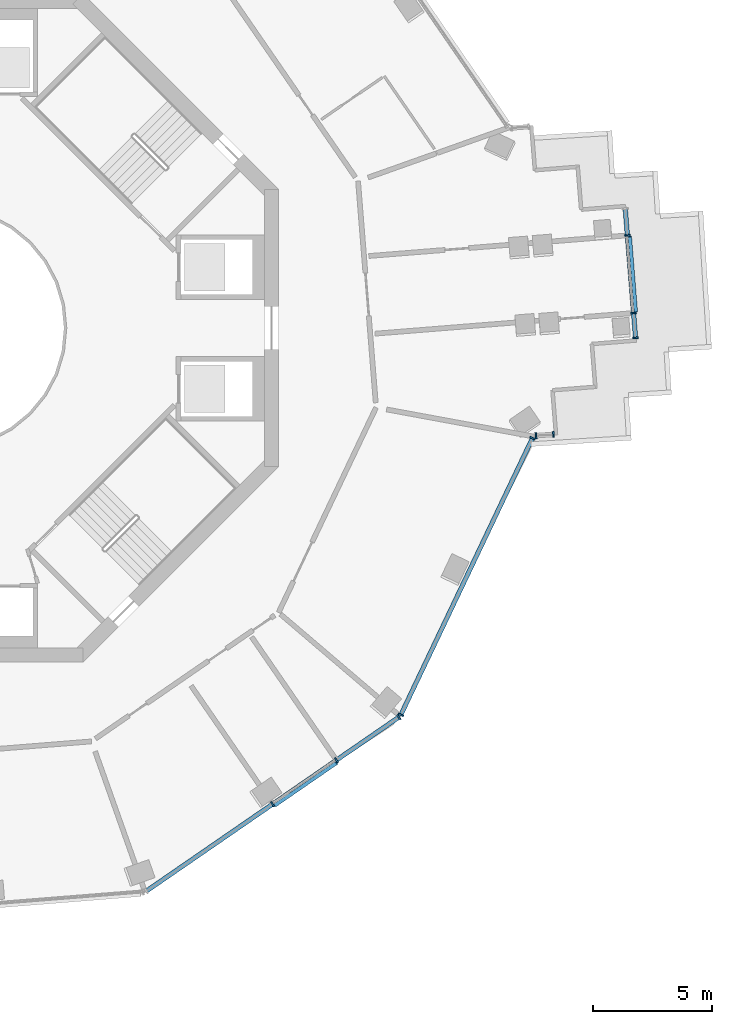
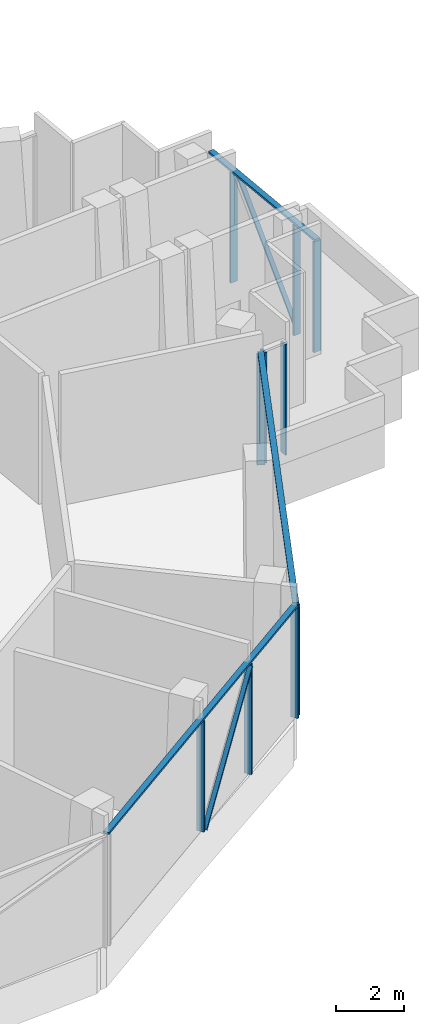
# One storey, part 3 of 21: 15 members, 4 elements without a shape of their own.
"""IFC4 building model written with IfcOpenShell, lengths in metres."""

from ifc_helpers import new_model, si_unit, direction, frame, origin, origin_2d, place, context, subcontext, project, spatial, rectangle, extrude, material, layer, layer_set, material_profile, profile_set, type_object, element, aggregate, save


model = new_model("IFC4")

# Units and contexts
model_context = context("Model", 3, precision=1e-05, world=origin(), true_north=direction((0.0, 1.0)))
body_context = subcontext(model_context, "Body", "Model", "MODEL_VIEW")
ifc_project = project(units=[si_unit("LENGTHUNIT", "METRE"), si_unit("AREAUNIT", "SQUARE_METRE"), si_unit("VOLUMEUNIT", "CUBIC_METRE"), si_unit("PLANEANGLEUNIT", "RADIAN"), si_unit("MASSUNIT", "GRAM", prefix="KILO")], contexts=[model_context])

# Site, building, storey
site_placement = place(None, origin())
site = spatial("IfcSite", under=ifc_project, at=site_placement, CompositionType="ELEMENT")
building_placement = place(site_placement, origin())
building = spatial("IfcBuilding", under=site, at=building_placement, Name="Verdalira Terraces Hotel", CompositionType="ELEMENT")
storey_placement = place(building_placement, frame((0.0, 0.0, 175.0)))
storey = spatial("IfcBuildingStorey", under=building, at=storey_placement, Name="L42", CompositionType="ELEMENT", Elevation=175.0)

# Curtain wall, members
ifc_material_1 = material(Name="Clear glass", Category="glass")
ifc_layer = layer(ifc_material_1, 0.239990234375)
ifc_layer_set = layer_set([ifc_layer], Name="CW5 curtain wall")
curtain_wall_type = type_object("IfcCurtainWallType", Name="CW5 curtain wall", PredefinedType="NOTDEFINED", material=ifc_layer_set)
curtain_wall_1_placement = place(storey_placement, origin())
curtain_wall_1 = element("IfcCurtainWall", 1, at=curtain_wall_1_placement, inside=storey, type_object=curtain_wall_type, Name="CW5 curtain wall L42 edge 26", PredefinedType="NOTDEFINED")
ifc_material_2 = material(Name="Terracotta frame", Category="masonry")
ifc_material_profile_1 = material_profile(ifc_material_2, rectangle(XDim=0.070068, YDim=0.23999, at=origin_2d()), Name="MU 70x240")
ifc_profile_set_1 = profile_set([ifc_material_profile_1], Name="Terracotta frame")
member_type_1 = type_object("IfcMemberType", Name="CW5 mullion 70x240", PredefinedType="MULLION", material=ifc_profile_set_1)
member_1_placement = place(storey_placement, frame((13.743896, -19.952881, 0.0), z_axis=(0.0, 0.0, 1.0), x_axis=(0.823532598, 0.567268949, 0.0)))
member_1 = element("IfcMember", 2, at=member_1_placement, type_object=member_type_1, Name="CW5 mullion", PredefinedType="MULLION", context=body_context, shape_type="SweptSolid", body=[
    extrude(rectangle(XDim=0.070068, YDim=0.23999, at=origin_2d()), origin(), (0.0, 0.0, 1.0), 3.965088),
])
member_2_placement = place(storey_placement, frame((16.42041, -18.109131, 0.0), z_axis=(0.0, 0.0, 1.0), x_axis=(0.823532598, 0.567268949, 0.0)))
member_2 = element("IfcMember", 3, at=member_2_placement, type_object=member_type_1, Name="CW5 mullion", PredefinedType="MULLION", context=body_context, shape_type="SweptSolid", body=[
    extrude(rectangle(XDim=0.070068, YDim=0.23999, at=origin_2d()), origin(), (0.0, 0.0, 1.0), 3.965088),
])
member_3_placement = place(storey_placement, frame((19.034912, -16.308105, 0.0), z_axis=(0.0, 0.0, 1.0), x_axis=(0.823532598, 0.567268949, 0.0)))
member_3 = element("IfcMember", 4, at=member_3_placement, type_object=member_type_1, Name="CW5 mullion", PredefinedType="MULLION", context=body_context, shape_type="SweptSolid", body=[
    extrude(rectangle(XDim=0.070068, YDim=0.23999, at=origin_2d()), origin(), (0.0, 0.0, 1.0), 3.965088),
])

curtain_wall_2_placement = place(storey_placement, origin())
curtain_wall_2 = element("IfcCurtainWall", 5, at=curtain_wall_2_placement, inside=storey, type_object=curtain_wall_type, Name="CW5 curtain wall L42 edge 27", PredefinedType="NOTDEFINED")
member_4_placement = place(storey_placement, frame((19.119141, -16.209473, 0.0), z_axis=(0.0, 0.0, 1.0), x_axis=(0.429565676, 0.90303562, 0.0)))
member_4 = element("IfcMember", 6, at=member_4_placement, type_object=member_type_1, Name="CW5 mullion", PredefinedType="MULLION", context=body_context, shape_type="SweptSolid", body=[
    extrude(rectangle(XDim=0.070068, YDim=0.23999, at=origin_2d()), origin(), (0.0, 0.0, 1.0), 3.965088),
])
member_5_placement = place(storey_placement, frame((24.633789, -4.616455, 0.0), z_axis=(0.0, 0.0, 1.0), x_axis=(0.429565676, 0.90303562, 0.0)))
member_5 = element("IfcMember", 7, at=member_5_placement, type_object=member_type_1, Name="CW5 mullion", PredefinedType="MULLION", context=body_context, shape_type="SweptSolid", body=[
    extrude(rectangle(XDim=0.070068, YDim=0.23999, at=origin_2d()), origin(), (0.0, 0.0, 1.0), 3.965088),
])

curtain_wall_3_placement = place(storey_placement, origin())
curtain_wall_3 = element("IfcCurtainWall", 8, at=curtain_wall_3_placement, inside=storey, type_object=curtain_wall_type, Name="CW5 curtain wall L42 edge 28", PredefinedType="NOTDEFINED")
member_6_placement = place(storey_placement, frame((24.782715, -4.513916, 0.0), z_axis=(0.0, 0.0, 1.0), x_axis=(0.996834625, 0.079503022, 0.0)))
member_6 = element("IfcMember", 9, at=member_6_placement, type_object=member_type_1, Name="CW5 mullion", PredefinedType="MULLION", context=body_context, shape_type="SweptSolid", body=[
    extrude(rectangle(XDim=0.070068, YDim=0.23999, at=origin_2d()), origin(), (0.0, 0.0, 1.0), 3.965088),
])
member_7_placement = place(storey_placement, frame((25.508301, -4.456055, 0.0), z_axis=(0.0, 0.0, 1.0), x_axis=(0.996834625, 0.079503022, 0.0)))
member_7 = element("IfcMember", 10, at=member_7_placement, type_object=member_type_1, Name="CW5 mullion", PredefinedType="MULLION", context=body_context, shape_type="SweptSolid", body=[
    extrude(rectangle(XDim=0.070068, YDim=0.23999, at=origin_2d()), origin(), (0.0, 0.0, 1.0), 3.965088),
])
aggregate(curtain_wall_3, [member_6, member_7])

curtain_wall_4_placement = place(storey_placement, origin())
curtain_wall_4 = element("IfcCurtainWall", 11, at=curtain_wall_4_placement, inside=storey, type_object=curtain_wall_type, Name="CW5 curtain wall L42 edge 33", PredefinedType="NOTDEFINED")
member_8_placement = place(storey_placement, frame((28.952881, -0.414551, 0.0), z_axis=(0.0, 0.0, 1.0), x_axis=(-0.079503022, 0.996834625, 0.0)))
member_8 = element("IfcMember", 12, at=member_8_placement, type_object=member_type_1, Name="CW5 mullion", PredefinedType="MULLION", context=body_context, shape_type="SweptSolid", body=[
    extrude(rectangle(XDim=0.070068, YDim=0.23999, at=origin_2d()), origin(), (0.0, 0.0, 1.0), 3.965088),
])
member_9_placement = place(storey_placement, frame((28.869873, 0.627197, 0.0), z_axis=(0.0, 0.0, 1.0), x_axis=(-0.079503022, 0.996834625, 0.0)))
member_9 = element("IfcMember", 13, at=member_9_placement, type_object=member_type_1, Name="CW5 mullion", PredefinedType="MULLION", context=body_context, shape_type="SweptSolid", body=[
    extrude(rectangle(XDim=0.070068, YDim=0.23999, at=origin_2d()), origin(), (0.0, 0.0, 1.0), 3.965088),
])
member_10_placement = place(storey_placement, frame((28.610352, 3.881348, 0.0), z_axis=(0.0, 0.0, 1.0), x_axis=(-0.079503022, 0.996834625, 0.0)))
member_10 = element("IfcMember", 14, at=member_10_placement, type_object=member_type_1, Name="CW5 mullion", PredefinedType="MULLION", context=body_context, shape_type="SweptSolid", body=[
    extrude(rectangle(XDim=0.070068, YDim=0.23999, at=origin_2d()), origin(), (0.0, 0.0, 1.0), 3.965088),
])

# Member
ifc_material_3 = material(Name="Terracotta frame", Category="masonry")
ifc_material_profile_2 = material_profile(ifc_material_3, rectangle(XDim=0.189941, YDim=0.074951, at=origin_2d()), Name="TR 75x190")
ifc_profile_set_2 = profile_set([ifc_material_profile_2], Name="Terracotta frame")
member_type_2 = type_object("IfcMemberType", Name="CW5 transom 75x190", PredefinedType="USERDEFINED", material=ifc_profile_set_2)
member_11_placement = place(storey_placement, frame((8.424072, -23.617188, 4.002441), z_axis=(0.823532123, 0.567269638, 0.0), x_axis=(-0.567269638, 0.823532123, 0.0)))
member_11 = element("IfcMember", 15, at=member_11_placement, type_object=member_type_2, Name="CW5 transom", ObjectType="TRANSOM", PredefinedType="USERDEFINED", context=body_context, shape_type="SweptSolid", body=[
    extrude(rectangle(XDim=0.189941, YDim=0.074951, at=origin_2d()), origin(), (0.0, 0.0, 1.0), 12.919434),
])

member_12_placement = place(storey_placement, frame((19.104248, -16.241211, 4.002441), z_axis=(0.42955984, 0.903038396, 0.0), x_axis=(-0.903038396, 0.42955984, 0.0)))
member_12 = element("IfcMember", 16, at=member_12_placement, type_object=member_type_2, Name="CW5 transom", ObjectType="TRANSOM", PredefinedType="USERDEFINED", context=body_context, shape_type="SweptSolid", body=[
    extrude(rectangle(XDim=0.189941, YDim=0.074951, at=origin_2d()), origin(), (0.0, 0.0, 1.0), 12.907715),
])

aggregate(curtain_wall_2, [member_4, member_5, member_12])

member_13_placement = place(storey_placement, frame((28.955811, -0.449463, 4.002441), z_axis=(-0.079499989, 0.996834867, 0.0), x_axis=(-0.996834867, -0.079499989, 0.0)))
member_13 = element("IfcMember", 17, at=member_13_placement, type_object=member_type_2, Name="CW5 transom", ObjectType="TRANSOM", PredefinedType="USERDEFINED", context=body_context, shape_type="SweptSolid", body=[
    extrude(rectangle(XDim=0.189941, YDim=0.074951, at=origin_2d()), origin(), (0.0, 0.0, 1.0), 5.5),
])

ifc_material_4 = material(Name="Terracotta frame", Category="masonry")
ifc_material_profile_3 = material_profile(ifc_material_4, rectangle(XDim=0.149902, YDim=0.060059, at=origin_2d()), Name="GB 60x150")
ifc_profile_set_3 = profile_set([ifc_material_profile_3], Name="Terracotta frame")
member_type_3 = type_object("IfcMemberType", Name="Diagonal glazing bar 60x150", PredefinedType="USERDEFINED", material=ifc_profile_set_3)
member_14_placement = place(storey_placement, frame((13.848145, -19.998779, 0.030762), z_axis=(0.515230589, 0.354904101, 0.780115709), x_axis=(-0.567269978, 0.823531889, 0.0)))
member_14 = element("IfcMember", 18, at=member_14_placement, type_object=member_type_3, Name="Diagonal glazing bar", ObjectType="GLAZING BAR", PredefinedType="USERDEFINED", context=body_context, shape_type="SweptSolid", body=[
    extrude(rectangle(XDim=0.149902, YDim=0.060059, at=origin_2d()), origin(), (0.0, 0.0, 1.0), 5.003906),
])

aggregate(curtain_wall_1, [member_1, member_2, member_3, member_11, member_14])

member_15_placement = place(storey_placement, frame((28.961914, 0.694336, 0.030518), z_axis=(-0.049917061, 0.625399894, 0.778706144), x_axis=(-0.996829824, -0.079563197, 0.0)))
member_15 = element("IfcMember", 19, at=member_15_placement, type_object=member_type_3, Name="Diagonal glazing bar", ObjectType="GLAZING BAR", PredefinedType="USERDEFINED", context=body_context, shape_type="SweptSolid", body=[
    extrude(rectangle(XDim=0.149902, YDim=0.060059, at=origin_2d()), origin(), (0.0, 0.0, 1.0), 5.013184),
])

aggregate(curtain_wall_4, [member_8, member_9, member_10, member_13, member_15])

save(model, "model.ifc")
